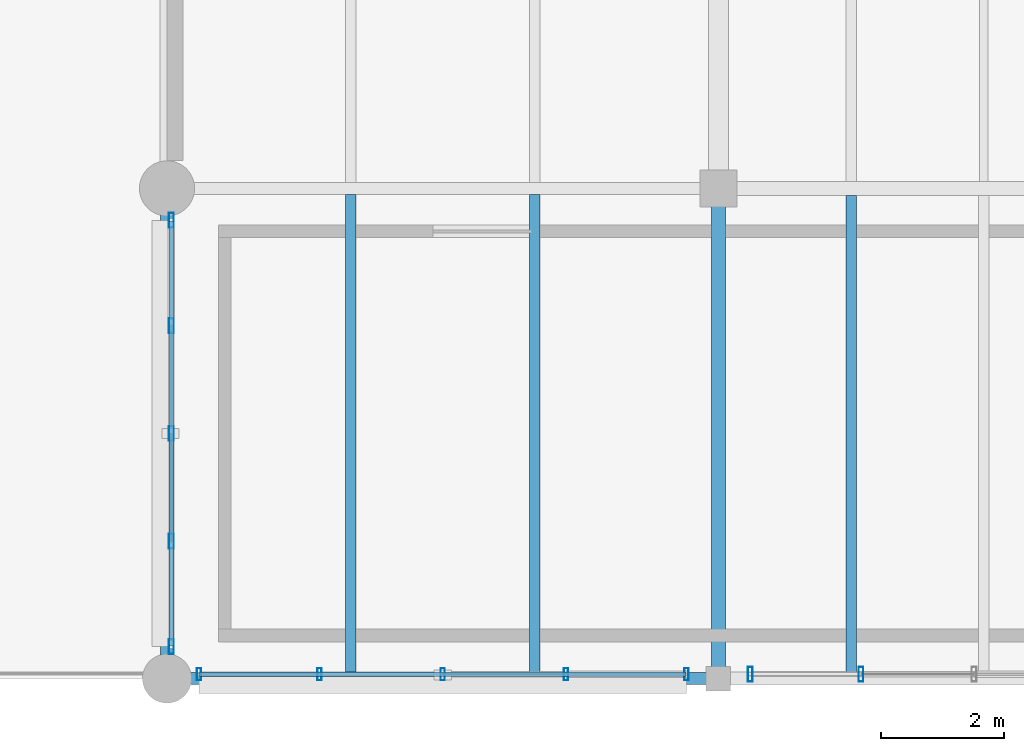
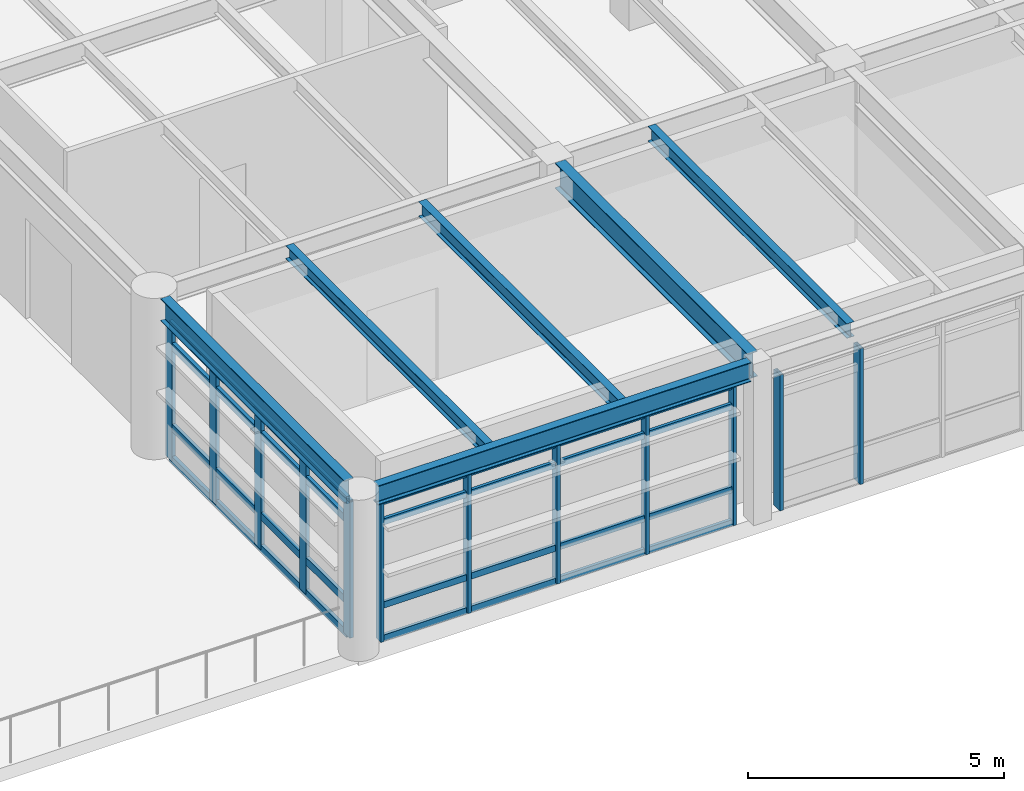
# One storey, part 2 of 26: 20 members, 6 beams, 3 elements without a shape of their own.
"""IFC4 building model written with IfcOpenShell, lengths in metres."""

from ifc_helpers import new_model, si_unit, direction, frame, origin, origin_2d, place, context, subcontext, project, spatial, hollow_rectangle, i_section, extrude, material, material_profile, profile_set, type_object, element, aggregate, save


model = new_model("IFC4")

# Units and contexts
model_context = context("Model", 3, precision=1e-05, world=origin(), true_north=direction((0.0, 1.0)))
body_context = subcontext(model_context, "Body", "Model", "MODEL_VIEW")
ifc_project = project(units=[si_unit("LENGTHUNIT", "METRE"), si_unit("AREAUNIT", "SQUARE_METRE"), si_unit("VOLUMEUNIT", "CUBIC_METRE"), si_unit("PLANEANGLEUNIT", "RADIAN"), si_unit("MASSUNIT", "GRAM", prefix="KILO"), si_unit("THERMODYNAMICTEMPERATUREUNIT", "KELVIN"), si_unit("POWERUNIT", "WATT")], contexts=[model_context])

# Site, building, storey
site_placement = place(None, origin())
site = spatial("IfcSite", under=ifc_project, at=site_placement, CompositionType="ELEMENT")
building_placement = place(site_placement, origin())
building = spatial("IfcBuilding", under=site, at=building_placement, Name="Tepalcoro Natatorium and Aquatics Centre", CompositionType="ELEMENT")
storey_placement = place(building_placement, frame((0.0, 0.0, 19.0)))
storey = spatial("IfcBuildingStorey", under=building, at=storey_placement, Name="L04", CompositionType="ELEMENT", Elevation=19.0)

# Beam
ifc_material_1 = material(Name="Steel ASTM A992 Grade 50 (Fy 345 MPa)", Category="steel")
ifc_material_profile_1 = material_profile(ifc_material_1, i_section(OverallWidth=0.22802734375, OverallDepth=0.60693359375, WebThickness=0.010986328125, FlangeThickness=0.01708984375, FilletRadius=0.013916015625, at=origin_2d()), Name="W24X76")
ifc_profile_set_1 = profile_set([ifc_material_profile_1], Name="Steel ASTM A992 Grade 50 (Fy 345 MPa)")
beam_type_1 = type_object("IfcBeamType", Name="BM_W24x76", PredefinedType="BEAM", material=ifc_profile_set_1)
beam_1_placement = place(storey_placement, frame((125.0, 94.18505859375, 3.531494140625), z_axis=(0.0, 1.0, 0.0), x_axis=(-1.0, 0.0, 0.0)))
element("IfcBeam", 1, at=beam_1_placement, inside=storey, type_object=beam_type_1, Name="V5 L04 Grid Girder Y", PredefinedType="BEAM", context=body_context, shape_type="SweptSolid", body=[
    extrude(i_section(OverallWidth=0.22802734375, OverallDepth=0.60693359375, WebThickness=0.010986328125, FlangeThickness=0.01708984375, FilletRadius=0.013916015625, at=origin_2d()), origin(), (0.0, 0.0, 1.0), 7.530029296875),
])

# Curtain wall, members
ifc_material_2 = material(Name="Bronze-Anodised Extruded Aluminium Alloy EN AW-6063 T6", Category="aluminium")
curtain_wall_type_1 = type_object("IfcCurtainWallType", Name="CW_V2_DIVING", PredefinedType="USERDEFINED", material=ifc_material_2)
curtain_wall_1_placement = place(storey_placement, origin())
curtain_wall_1 = element("IfcCurtainWall", 2, at=curtain_wall_1_placement, inside=storey, type_object=curtain_wall_type_1, Name="V5 L04 S Unitised Curtain Wall Bay 1", ObjectType="FACETED SOLAR GLAZING", PredefinedType="USERDEFINED")
ifc_material_profile_2 = material_profile(ifc_material_2, hollow_rectangle(XDim=0.070068359375, YDim=0.199951171875, WallThickness=0.0048828125, at=origin_2d()), Name="AL70X200X5")
ifc_profile_set_2 = profile_set([ifc_material_profile_2], Name="Bronze-Anodised Extruded Aluminium Alloy EN AW-6063 T6")
member_type_1 = type_object("IfcMemberType", Name="CW_MUL_70x200", PredefinedType="MULLION", material=ifc_profile_set_2)
member_1_placement = place(storey_placement, frame((116.52001953125, 94.0712890625, 0.02001953125), z_axis=(0.0, 0.0, 1.0), x_axis=(1.0, 0.0, 0.0)))
member_1 = element("IfcMember", 3, at=member_1_placement, type_object=member_type_1, Name="CW_V2_DIVING Curtain Wall Mullion", PredefinedType="MULLION", context=body_context, shape_type="SweptSolid", body=[
    extrude(hollow_rectangle(XDim=0.070068359375, YDim=0.199951171875, WallThickness=0.0048828125, at=origin_2d()), origin(), (0.0, 0.0, 1.0), 3.320068359375),
])
member_2_placement = place(storey_placement, frame((118.489990234375, 94.0712890625, 0.02001953125), z_axis=(0.0, 0.0, 1.0), x_axis=(1.0, 0.0, 0.0)))
member_2 = element("IfcMember", 4, at=member_2_placement, type_object=member_type_1, Name="CW_V2_DIVING Curtain Wall Mullion", PredefinedType="MULLION", context=body_context, shape_type="SweptSolid", body=[
    extrude(hollow_rectangle(XDim=0.070068359375, YDim=0.199951171875, WallThickness=0.0048828125, at=origin_2d()), origin(), (0.0, 0.0, 1.0), 3.320068359375),
])
member_3_placement = place(storey_placement, frame((120.5, 94.0712890625, 0.02001953125), z_axis=(0.0, 0.0, 1.0), x_axis=(1.0, 0.0, 0.0)))
member_3 = element("IfcMember", 5, at=member_3_placement, type_object=member_type_1, Name="CW_V2_DIVING Curtain Wall Mullion", PredefinedType="MULLION", context=body_context, shape_type="SweptSolid", body=[
    extrude(hollow_rectangle(XDim=0.070068359375, YDim=0.199951171875, WallThickness=0.0048828125, at=origin_2d()), origin(), (0.0, 0.0, 1.0), 3.320068359375),
])
member_4_placement = place(storey_placement, frame((122.510009765625, 94.0712890625, 0.02001953125), z_axis=(0.0, 0.0, 1.0), x_axis=(1.0, 0.0, 0.0)))
member_4 = element("IfcMember", 6, at=member_4_placement, type_object=member_type_1, Name="CW_V2_DIVING Curtain Wall Mullion", PredefinedType="MULLION", context=body_context, shape_type="SweptSolid", body=[
    extrude(hollow_rectangle(XDim=0.070068359375, YDim=0.199951171875, WallThickness=0.0048828125, at=origin_2d()), origin(), (0.0, 0.0, 1.0), 3.320068359375),
])
member_5_placement = place(storey_placement, frame((124.47998046875, 94.0712890625, 0.02001953125), z_axis=(0.0, 0.0, 1.0), x_axis=(1.0, 0.0, 0.0)))
member_5 = element("IfcMember", 7, at=member_5_placement, type_object=member_type_1, Name="CW_V2_DIVING Curtain Wall Mullion", PredefinedType="MULLION", context=body_context, shape_type="SweptSolid", body=[
    extrude(hollow_rectangle(XDim=0.070068359375, YDim=0.199951171875, WallThickness=0.0048828125, at=origin_2d()), origin(), (0.0, 0.0, 1.0), 3.320068359375),
])

curtain_wall_type_2 = type_object("IfcCurtainWallType", Name="CW_V3_FOYER", PredefinedType="USERDEFINED", material=ifc_material_2)
curtain_wall_2_placement = place(storey_placement, origin())
curtain_wall_2 = element("IfcCurtainWall", 8, at=curtain_wall_2_placement, inside=storey, type_object=curtain_wall_type_2, Name="V5 L04 S Unitised Curtain Wall Bay 2", ObjectType="UNITISED STOREFRONT", PredefinedType="USERDEFINED")
ifc_material_profile_3 = material_profile(ifc_material_2, hollow_rectangle(XDim=0.080078125, YDim=0.239990234375, WallThickness=0.0048828125, at=origin_2d()), Name="AL80X240X5")
ifc_profile_set_3 = profile_set([ifc_material_profile_3], Name="Bronze-Anodised Extruded Aluminium Alloy EN AW-6063 T6")
member_type_2 = type_object("IfcMemberType", Name="CW_MUL_80x240", PredefinedType="MULLION", material=ifc_profile_set_3)
member_6_placement = place(storey_placement, frame((125.52001953125, 94.0712890625, 0.02001953125), z_axis=(0.0, 0.0, 1.0), x_axis=(1.0, 0.0, 0.0)))
member_6 = element("IfcMember", 9, at=member_6_placement, type_object=member_type_2, Name="CW_V3_FOYER Curtain Wall Mullion", PredefinedType="MULLION", context=body_context, shape_type="SweptSolid", body=[
    extrude(hollow_rectangle(XDim=0.080078125, YDim=0.239990234375, WallThickness=0.0048828125, at=origin_2d()), origin(), (0.0, 0.0, 1.0), 3.243896484375),
])
member_7_placement = place(storey_placement, frame((127.32666015625, 94.0712890625, 0.02001953125), z_axis=(0.0, 0.0, 1.0), x_axis=(1.0, 0.0, 0.0)))
member_7 = element("IfcMember", 10, at=member_7_placement, type_object=member_type_2, Name="CW_V3_FOYER Curtain Wall Mullion", PredefinedType="MULLION", context=body_context, shape_type="SweptSolid", body=[
    extrude(hollow_rectangle(XDim=0.080078125, YDim=0.239990234375, WallThickness=0.0048828125, at=origin_2d()), origin(), (0.0, 0.0, 1.0), 3.243896484375),
])
aggregate(curtain_wall_2, [member_6, member_7])

curtain_wall_type_3 = type_object("IfcCurtainWallType", Name="CW_V5_UPPER", PredefinedType="USERDEFINED", material=ifc_material_2)
curtain_wall_3_placement = place(storey_placement, origin())
curtain_wall_3 = element("IfcCurtainWall", 11, at=curtain_wall_3_placement, inside=storey, type_object=curtain_wall_type_3, Name="V5 L04 W Unitised Curtain Wall Bay 1", ObjectType="FACETED SOLAR GLAZING", PredefinedType="USERDEFINED")
member_8_placement = place(storey_placement, frame((116.0712890625, 94.52001953125, 0.02001953125), z_axis=(0.0, 0.0, 1.0), x_axis=(1.0, 0.0, 0.0)))
member_8 = element("IfcMember", 12, at=member_8_placement, type_object=member_type_2, Name="CW_V5_UPPER Curtain Wall Mullion", PredefinedType="MULLION", context=body_context, shape_type="SweptSolid", body=[
    extrude(hollow_rectangle(XDim=0.080078125, YDim=0.239990234375, WallThickness=0.0048828125, at=origin_2d()), origin(), (0.0, 0.0, 1.0), 3.243896484375),
])
member_9_placement = place(storey_placement, frame((116.0712890625, 96.239990234375, 0.02001953125), z_axis=(0.0, 0.0, 1.0), x_axis=(1.0, 0.0, 0.0)))
member_9 = element("IfcMember", 13, at=member_9_placement, type_object=member_type_2, Name="CW_V5_UPPER Curtain Wall Mullion", PredefinedType="MULLION", context=body_context, shape_type="SweptSolid", body=[
    extrude(hollow_rectangle(XDim=0.080078125, YDim=0.239990234375, WallThickness=0.0048828125, at=origin_2d()), origin(), (0.0, 0.0, 1.0), 3.243896484375),
])
member_10_placement = place(storey_placement, frame((116.0712890625, 98.0, 0.02001953125), z_axis=(0.0, 0.0, 1.0), x_axis=(1.0, 0.0, 0.0)))
member_10 = element("IfcMember", 14, at=member_10_placement, type_object=member_type_2, Name="CW_V5_UPPER Curtain Wall Mullion", PredefinedType="MULLION", context=body_context, shape_type="SweptSolid", body=[
    extrude(hollow_rectangle(XDim=0.080078125, YDim=0.239990234375, WallThickness=0.0048828125, at=origin_2d()), origin(), (0.0, 0.0, 1.0), 3.243896484375),
])
member_11_placement = place(storey_placement, frame((116.0712890625, 99.760009765625, 0.02001953125), z_axis=(0.0, 0.0, 1.0), x_axis=(1.0, 0.0, 0.0)))
member_11 = element("IfcMember", 15, at=member_11_placement, type_object=member_type_2, Name="CW_V5_UPPER Curtain Wall Mullion", PredefinedType="MULLION", context=body_context, shape_type="SweptSolid", body=[
    extrude(hollow_rectangle(XDim=0.080078125, YDim=0.239990234375, WallThickness=0.0048828125, at=origin_2d()), origin(), (0.0, 0.0, 1.0), 3.243896484375),
])
member_12_placement = place(storey_placement, frame((116.0712890625, 101.47998046875, 0.02001953125), z_axis=(0.0, 0.0, 1.0), x_axis=(1.0, 0.0, 0.0)))
member_12 = element("IfcMember", 16, at=member_12_placement, type_object=member_type_2, Name="CW_V5_UPPER Curtain Wall Mullion", PredefinedType="MULLION", context=body_context, shape_type="SweptSolid", body=[
    extrude(hollow_rectangle(XDim=0.080078125, YDim=0.239990234375, WallThickness=0.0048828125, at=origin_2d()), origin(), (0.0, 0.0, 1.0), 3.243896484375),
])

# Member
ifc_material_profile_4 = material_profile(ifc_material_2, hollow_rectangle(XDim=0.070068359375, YDim=0.14990234375, WallThickness=0.00390625, at=origin_2d()), Name="AL70X150X4")
ifc_profile_set_4 = profile_set([ifc_material_profile_4], Name="Bronze-Anodised Extruded Aluminium Alloy EN AW-6063 T6")
member_type_3 = type_object("IfcMemberType", Name="CW_TRN_70x150", PredefinedType="USERDEFINED", material=ifc_profile_set_4)
member_13_placement = place(storey_placement, frame((116.530029296875, 94.0712890625, 0.050048828125), z_axis=(1.0, 0.0, 0.0), x_axis=(0.0, 1.0, 0.0)))
member_13 = element("IfcMember", 17, at=member_13_placement, type_object=member_type_3, Name="CW_V2_DIVING Curtain Wall Transom", ObjectType="TRANSOM", PredefinedType="USERDEFINED", context=body_context, shape_type="SweptSolid", body=[
    extrude(hollow_rectangle(XDim=0.070068359375, YDim=0.14990234375, WallThickness=0.00390625, at=origin_2d()), origin(), (0.0, 0.0, 1.0), 7.93994140625),
])

member_14_placement = place(storey_placement, frame((116.530029296875, 94.0712890625, 0.840087890625), z_axis=(1.0, 0.0, 0.0), x_axis=(0.0, 1.0, 0.0)))
member_14 = element("IfcMember", 18, at=member_14_placement, type_object=member_type_3, Name="CW_V2_DIVING Curtain Wall Transom", ObjectType="TRANSOM", PredefinedType="USERDEFINED", context=body_context, shape_type="SweptSolid", body=[
    extrude(hollow_rectangle(XDim=0.070068359375, YDim=0.14990234375, WallThickness=0.00390625, at=origin_2d()), origin(), (0.0, 0.0, 1.0), 7.93994140625),
])

member_15_placement = place(storey_placement, frame((116.530029296875, 94.0712890625, 2.822509765625), z_axis=(1.0, 0.0, 0.0), x_axis=(0.0, 1.0, 0.0)))
member_15 = element("IfcMember", 19, at=member_15_placement, type_object=member_type_3, Name="CW_V2_DIVING Curtain Wall Transom", ObjectType="TRANSOM", PredefinedType="USERDEFINED", context=body_context, shape_type="SweptSolid", body=[
    extrude(hollow_rectangle(XDim=0.070068359375, YDim=0.14990234375, WallThickness=0.00390625, at=origin_2d()), origin(), (0.0, 0.0, 1.0), 7.93994140625),
])

member_16_placement = place(storey_placement, frame((116.530029296875, 94.0712890625, 3.31005859375), z_axis=(1.0, 0.0, 0.0), x_axis=(0.0, 1.0, 0.0)))
member_16 = element("IfcMember", 20, at=member_16_placement, type_object=member_type_3, Name="CW_V2_DIVING Curtain Wall Transom", ObjectType="TRANSOM", PredefinedType="USERDEFINED", context=body_context, shape_type="SweptSolid", body=[
    extrude(hollow_rectangle(XDim=0.070068359375, YDim=0.14990234375, WallThickness=0.00390625, at=origin_2d()), origin(), (0.0, 0.0, 1.0), 7.93994140625),
])

aggregate(curtain_wall_1, [member_1, member_2, member_3, member_4, member_5, member_13, member_14, member_15, member_16])

ifc_material_profile_5 = material_profile(ifc_material_2, hollow_rectangle(XDim=0.080078125, YDim=0.179931640625, WallThickness=0.0048828125, at=origin_2d()), Name="AL80X180X5")
ifc_profile_set_5 = profile_set([ifc_material_profile_5], Name="Bronze-Anodised Extruded Aluminium Alloy EN AW-6063 T6")
member_type_4 = type_object("IfcMemberType", Name="CW_TRN_80x180", PredefinedType="USERDEFINED", material=ifc_profile_set_5)
member_17_placement = place(storey_placement, frame((116.0712890625, 94.530029296875, 0.050048828125), z_axis=(0.0, 1.0, 0.0), x_axis=(-1.0, 0.0, 0.0)))
member_17 = element("IfcMember", 21, at=member_17_placement, type_object=member_type_4, Name="CW_V5_UPPER Curtain Wall Transom", ObjectType="TRANSOM", PredefinedType="USERDEFINED", context=body_context, shape_type="SweptSolid", body=[
    extrude(hollow_rectangle(XDim=0.080078125, YDim=0.179931640625, WallThickness=0.0048828125, at=origin_2d()), origin(), (0.0, 0.0, 1.0), 6.93994140625),
])

member_18_placement = place(storey_placement, frame((116.0712890625, 94.530029296875, 0.821044921875), z_axis=(0.0, 1.0, 0.0), x_axis=(-1.0, 0.0, 0.0)))
member_18 = element("IfcMember", 22, at=member_18_placement, type_object=member_type_4, Name="CW_V5_UPPER Curtain Wall Transom", ObjectType="TRANSOM", PredefinedType="USERDEFINED", context=body_context, shape_type="SweptSolid", body=[
    extrude(hollow_rectangle(XDim=0.080078125, YDim=0.179931640625, WallThickness=0.0048828125, at=origin_2d()), origin(), (0.0, 0.0, 1.0), 6.93994140625),
])

member_19_placement = place(storey_placement, frame((116.0712890625, 94.530029296875, 2.758544921875), z_axis=(0.0, 1.0, 0.0), x_axis=(-1.0, 0.0, 0.0)))
member_19 = element("IfcMember", 23, at=member_19_placement, type_object=member_type_4, Name="CW_V5_UPPER Curtain Wall Transom", ObjectType="TRANSOM", PredefinedType="USERDEFINED", context=body_context, shape_type="SweptSolid", body=[
    extrude(hollow_rectangle(XDim=0.080078125, YDim=0.179931640625, WallThickness=0.0048828125, at=origin_2d()), origin(), (0.0, 0.0, 1.0), 6.93994140625),
])

member_20_placement = place(storey_placement, frame((116.0712890625, 94.530029296875, 3.23388671875), z_axis=(0.0, 1.0, 0.0), x_axis=(-1.0, 0.0, 0.0)))
member_20 = element("IfcMember", 24, at=member_20_placement, type_object=member_type_4, Name="CW_V5_UPPER Curtain Wall Transom", ObjectType="TRANSOM", PredefinedType="USERDEFINED", context=body_context, shape_type="SweptSolid", body=[
    extrude(hollow_rectangle(XDim=0.080078125, YDim=0.179931640625, WallThickness=0.0048828125, at=origin_2d()), origin(), (0.0, 0.0, 1.0), 6.93994140625),
])

aggregate(curtain_wall_3, [member_8, member_9, member_10, member_11, member_12, member_17, member_18, member_19, member_20])

# Beams
ifc_material_profile_6 = material_profile(ifc_material_1, i_section(OverallWidth=0.1669921875, OverallDepth=0.318115234375, WebThickness=0.008056640625, FlangeThickness=0.012939453125, FilletRadius=0.013916015625, at=origin_2d()), Name="W12X35")
ifc_profile_set_6 = profile_set([ifc_material_profile_6], Name="Steel ASTM A992 Grade 50 (Fy 345 MPa)")
beam_type_2 = type_object("IfcBeamType", Name="JS_W12x35", PredefinedType="JOIST", material=ifc_profile_set_6)
beam_2_placement = place(storey_placement, frame((119.0, 94.095458984375, 3.676025390625), z_axis=(0.0, 1.0, 0.0), x_axis=(-1.0, 0.0, 0.0)))
element("IfcBeam", 25, at=beam_2_placement, inside=storey, type_object=beam_type_2, Name="V5 L04 Floor Joist", PredefinedType="JOIST", context=body_context, shape_type="SweptSolid", body=[
    extrude(i_section(OverallWidth=0.1669921875, OverallDepth=0.318115234375, WebThickness=0.008056640625, FlangeThickness=0.012939453125, FilletRadius=0.013916015625, at=origin_2d()), origin(), (0.0, 0.0, 1.0), 7.80810546875),
])
ifc_material_profile_7 = material_profile(ifc_material_1, i_section(OverallWidth=0.1708984375, OverallDepth=0.35107421875, WebThickness=0.007080078125, FlangeThickness=0.010009765625, FilletRadius=0.013916015625, at=origin_2d()), Name="W14X30")
ifc_profile_set_7 = profile_set([ifc_material_profile_7], Name="Steel ASTM A992 Grade 50 (Fy 345 MPa)")
beam_type_3 = type_object("IfcBeamType", Name="JS_W14x30", PredefinedType="JOIST", material=ifc_profile_set_7)
beam_3_placement = place(storey_placement, frame((122.0, 94.095458984375, 3.659423828125), z_axis=(0.0, 1.0, 0.0), x_axis=(-1.0, 0.0, 0.0)))
element("IfcBeam", 26, at=beam_3_placement, inside=storey, type_object=beam_type_3, Name="V5 L04 Floor Joist", PredefinedType="JOIST", context=body_context, shape_type="SweptSolid", body=[
    extrude(i_section(OverallWidth=0.1708984375, OverallDepth=0.35107421875, WebThickness=0.007080078125, FlangeThickness=0.010009765625, FilletRadius=0.013916015625, at=origin_2d()), origin(), (0.0, 0.0, 1.0), 7.80810546875),
])
beam_4_placement = place(storey_placement, frame((127.166748046875, 94.10498046875, 3.659423828125), z_axis=(0.0, 1.0, 0.0), x_axis=(-1.0, 0.0, 0.0)))
element("IfcBeam", 27, at=beam_4_placement, inside=storey, type_object=beam_type_3, Name="V5 L04 Floor Joist", PredefinedType="JOIST", context=body_context, shape_type="SweptSolid", body=[
    extrude(i_section(OverallWidth=0.1708984375, OverallDepth=0.35107421875, WebThickness=0.007080078125, FlangeThickness=0.010009765625, FilletRadius=0.013916015625, at=origin_2d()), origin(), (0.0, 0.0, 1.0), 7.781005859375),
])
ifc_material_profile_8 = material_profile(ifc_material_1, i_section(OverallWidth=0.19091796875, OverallDepth=0.4599609375, WebThickness=0.010009765625, FlangeThickness=0.01611328125, FilletRadius=0.013916015625, at=origin_2d()), Name="W18X55")
ifc_profile_set_8 = profile_set([ifc_material_profile_8], Name="Steel ASTM A992 Grade 50 (Fy 345 MPa)")
beam_type_4 = type_object("IfcBeamType", Name="SP_W18x55", PredefinedType="SPANDREL", material=ifc_profile_set_8)
beam_5_placement = place(storey_placement, frame((116.385009765625, 94.0, 3.60498046875), z_axis=(1.0, 0.0, 0.0), x_axis=(0.0, 1.0, 0.0)))
element("IfcBeam", 28, at=beam_5_placement, inside=storey, type_object=beam_type_4, Name="V5 L04 Grid Girder X", PredefinedType="SPANDREL", context=body_context, shape_type="SweptSolid", body=[
    extrude(i_section(OverallWidth=0.19091796875, OverallDepth=0.4599609375, WebThickness=0.010009765625, FlangeThickness=0.01611328125, FilletRadius=0.013916015625, at=origin_2d()), origin(), (0.0, 0.0, 1.0), 8.429931640625),
])
ifc_material_profile_9 = material_profile(ifc_material_1, i_section(OverallWidth=0.2099609375, OverallDepth=0.535888671875, WebThickness=0.010986328125, FlangeThickness=0.01708984375, FilletRadius=0.013916015625, at=origin_2d()), Name="W21X68")
ifc_profile_set_9 = profile_set([ifc_material_profile_9], Name="Steel ASTM A992 Grade 50 (Fy 345 MPa)")
beam_type_5 = type_object("IfcBeamType", Name="SP_W21x68", PredefinedType="SPANDREL", material=ifc_profile_set_9)
beam_6_placement = place(storey_placement, frame((116.0, 94.385009765625, 3.56689453125), z_axis=(0.0, 1.0, 0.0), x_axis=(-1.0, 0.0, 0.0)))
element("IfcBeam", 29, at=beam_6_placement, inside=storey, type_object=beam_type_5, Name="V5 L04 Grid Girder Y", PredefinedType="SPANDREL", context=body_context, shape_type="SweptSolid", body=[
    extrude(i_section(OverallWidth=0.2099609375, OverallDepth=0.535888671875, WebThickness=0.010986328125, FlangeThickness=0.01708984375, FilletRadius=0.013916015625, at=origin_2d()), origin(), (0.0, 0.0, 1.0), 7.179931640625),
])

save(model, "model.ifc")
